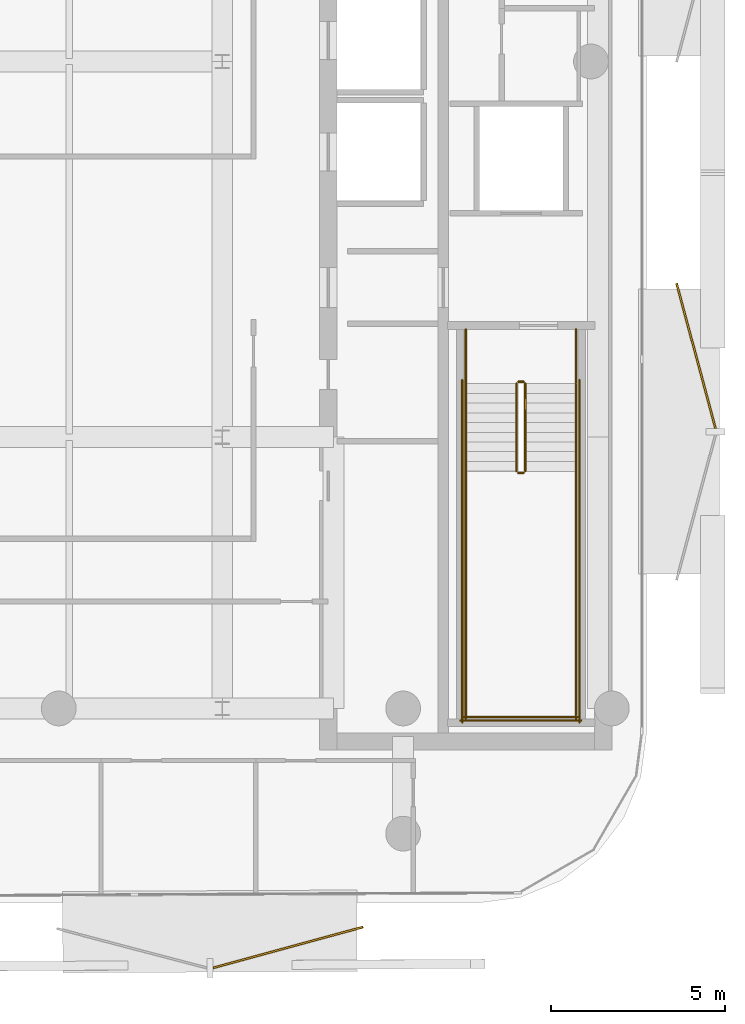
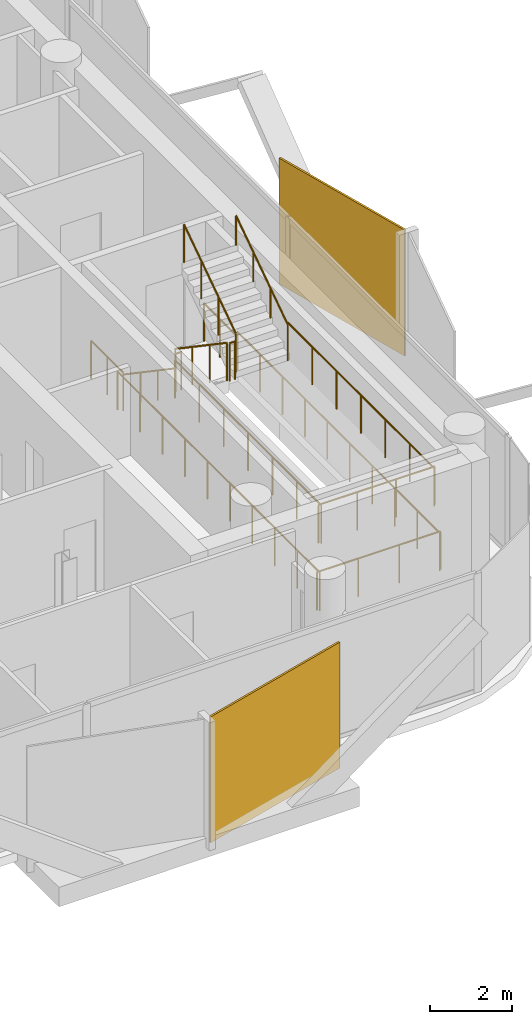
# One storey, part 14 of 15: 14 railings, 2 coverings.
"""IFC4 building model written with IfcOpenShell, lengths in metres."""

from ifc_helpers import new_model, si_unit, direction, frame, origin, origin_2d, place, context, subcontext, project, spatial, rectangle, circle, extrude, material, layer, layer_set, type_object, element, save


model = new_model("IFC4")

# Units and contexts
model_context = context("Model", 3, precision=1e-05, world=origin(), true_north=direction((0.0, 1.0)))
body_context = subcontext(model_context, "Body", "Model", "MODEL_VIEW")
ifc_project = project(units=[si_unit("LENGTHUNIT", "METRE"), si_unit("AREAUNIT", "SQUARE_METRE"), si_unit("VOLUMEUNIT", "CUBIC_METRE"), si_unit("PLANEANGLEUNIT", "RADIAN"), si_unit("MASSUNIT", "GRAM", prefix="KILO")], contexts=[model_context])

# Site, building, storey
site_placement = place(None, origin())
site = spatial("IfcSite", under=ifc_project, at=site_placement, CompositionType="ELEMENT")
building_placement = place(site_placement, origin())
building = spatial("IfcBuilding", under=site, at=building_placement, Name="Khairoan Windgate Tower", CompositionType="ELEMENT")
storey_placement = place(building_placement, frame((0.0, 0.0, 285.199951171875)))
storey = spatial("IfcBuildingStorey", under=building, at=storey_placement, Name="L68", CompositionType="ELEMENT", Elevation=285.199951171875)

# Coverings
ifc_material_1 = material(Name="Anodised Bronze Aluminium 6063-T6", Category="aluminium")
ifc_layer = layer(ifc_material_1, 0.054931640625, Name="Anodised Bronze Aluminium 6063-T6")
ifc_layer_set = layer_set([ifc_layer], Name="Anodised Bronze Aluminium 6063-T6")
covering_type = type_object("IfcCoveringType", Name="Perforated Bronze-Ceramic Folded Solar Screen Cladding BSC-1", PredefinedType="CLADDING", material=ifc_layer_set)
covering_1_placement = place(storey_placement, frame((11.0908203125, -25.471923828125, -0.10009765625), z_axis=(0.0, 0.0, 1.0), x_axis=(-0.964649468762, -0.263536339841, 0.0)))
element("IfcCovering", 1, at=covering_1_placement, inside=storey, type_object=covering_type, Name="L68 Folded Bronze Solar Screen Facet 470L", PredefinedType="CLADDING", context=body_context, shape_type="SweptSolid", body=[
    extrude(rectangle(XDim=4.4619140625, YDim=0.054931640625, at=origin_2d()), origin(), (0.0, 0.0, 1.0), 3.739990234375),
])
covering_2_placement = place(storey_placement, frame((22.821044921875, -8.46630859375, -0.10009765625), z_axis=(0.0, 0.0, 1.0), x_axis=(0.258819045103, -0.965925826289, 0.0)))
element("IfcCovering", 2, at=covering_2_placement, inside=storey, type_object=covering_type, Name="L68 Folded Bronze Solar Screen Facet 477L", PredefinedType="CLADDING", context=body_context, shape_type="SweptSolid", body=[
    extrude(rectangle(XDim=4.320068359375, YDim=0.054931640625, at=origin_2d()), origin(), (0.0, 0.0, 1.0), 3.739990234375),
])

# Railings
ifc_material_2 = material(Name="Anodised Bronze Aluminium 6063-T6", Category="aluminium")
railing_type_1 = type_object("IfcRailingType", Name="Stair Wall Handrail SHR-900", PredefinedType="HANDRAIL", material=ifc_material_2)
railing_1_placement = place(storey_placement, frame((16.199951171875, -9.260009765625, 0.18994140625)))
element("IfcRailing", 3, at=railing_1_placement, inside=storey, type_object=railing_type_1, Name="L68 ST1 stair handrail 1", PredefinedType="HANDRAIL", context=body_context, shape_type="SweptSolid", body=[
    extrude(circle(Radius=0.02392578125, at=origin_2d()), frame((0.0, 0.0, 0.8759765625), z_axis=(0.0, -0.82744650838, 0.561544544778), x_axis=(1.0, 0.0, 0.0)), (0.0, 0.0, 1.0), 3.045654296875),
    extrude(circle(Radius=0.02099609375, at=origin_2d()), origin(), (0.0, 0.0, 1.0), 0.851806640625),
    extrude(circle(Radius=0.02099609375, at=origin_2d()), frame((0.0, -0.840087890625, 0.570068359375)), (0.0, 0.0, 1.0), 0.851806640625),
    extrude(circle(Radius=0.02099609375, at=origin_2d()), frame((0.0, -1.679931640625, 1.14013671875)), (0.0, 0.0, 1.0), 0.851806640625),
    extrude(circle(Radius=0.02099609375, at=origin_2d()), frame((0.0, -2.52001953125, 1.710205078125)), (0.0, 0.0, 1.0), 0.851806640625),
])
railing_2_placement = place(storey_placement, frame((19.3701171875, -11.780029296875, 2.090087890625)))
element("IfcRailing", 4, at=railing_2_placement, inside=storey, type_object=railing_type_1, Name="L68 ST1 stair handrail 2", PredefinedType="HANDRAIL", context=body_context, shape_type="SweptSolid", body=[
    extrude(circle(Radius=0.02392578125, at=origin_2d()), frame((0.0, 0.0, 0.8759765625), z_axis=(0.0, 0.827483756001, 0.561489655786), x_axis=(-1.0, 0.0, 0.0)), (0.0, 0.0, 1.0), 3.04541015625),
    extrude(circle(Radius=0.02099609375, at=origin_2d()), origin(), (0.0, 0.0, 1.0), 0.851806640625),
    extrude(circle(Radius=0.02099609375, at=origin_2d()), frame((0.0, 0.840087890625, 0.570068359375)), (0.0, 0.0, 1.0), 0.851806640625),
    extrude(circle(Radius=0.02099609375, at=origin_2d()), frame((0.0, 1.679931640625, 1.139892578125)), (0.0, 0.0, 1.0), 0.851806640625),
    extrude(circle(Radius=0.02099609375, at=origin_2d()), frame((0.0, 2.52001953125, 1.7099609375)), (0.0, 0.0, 1.0), 0.851806640625),
])
ifc_material_3 = material(Name="Steel S355", Category="steel")
railing_type_2 = type_object("IfcRailingType", Name="Stairwell Safety Guardrail SGR-1150", PredefinedType="GUARDRAIL", material=ifc_material_3)
railing_3_placement = place(storey_placement, frame((17.659912109375, -9.260009765625, 0.18994140625)))
element("IfcRailing", 5, at=railing_3_placement, inside=storey, type_object=railing_type_2, Name="L68 ST1 stair guard 1", PredefinedType="GUARDRAIL", context=body_context, shape_type="SweptSolid", body=[
    extrude(circle(Radius=0.02392578125, at=origin_2d()), frame((0.0, 0.0, 1.1259765625), z_axis=(0.0, -0.82744650838, 0.561544544778), x_axis=(1.0, 0.0, 0.0)), (0.0, 0.0, 1.0), 3.045654296875),
    extrude(circle(Radius=0.02099609375, at=origin_2d()), origin(), (0.0, 0.0, 1.0), 1.101806640625),
    extrude(circle(Radius=0.02099609375, at=origin_2d()), frame((0.0, -0.840087890625, 0.570068359375)), (0.0, 0.0, 1.0), 1.101806640625),
    extrude(circle(Radius=0.02099609375, at=origin_2d()), frame((0.0, -1.679931640625, 1.14013671875)), (0.0, 0.0, 1.0), 1.101806640625),
    extrude(circle(Radius=0.02099609375, at=origin_2d()), frame((0.0, -2.52001953125, 1.710205078125)), (0.0, 0.0, 1.0), 1.101806640625),
])
railing_4_placement = place(storey_placement, frame((17.7099609375, -11.830078125, 1.900146484375)))
element("IfcRailing", 6, at=railing_4_placement, inside=storey, type_object=railing_type_2, Name="L68 ST1 stair guard 2", PredefinedType="GUARDRAIL", context=body_context, shape_type="SweptSolid", body=[
    extrude(circle(Radius=0.02392578125, at=origin_2d()), frame((0.0, 0.0, 1.1259765625), z_axis=(1.0, 0.0, 0.0), x_axis=(0.0, 1.0, 0.0)), (0.0, 0.0, 1.0), 0.150146484375),
    extrude(circle(Radius=0.02099609375, at=origin_2d()), origin(), (0.0, 0.0, 1.0), 1.101806640625),
    extrude(circle(Radius=0.02099609375, at=origin_2d()), frame((0.150146484375, 0.0, 0.0)), (0.0, 0.0, 1.0), 1.101806640625),
])
for number, where, name in (
    (7, (16.199951171875, -11.780029296875, 1.900146484375), "L68 ST1 stair guard 3"),
    (8, (19.3701171875, -11.780029296875, 1.900146484375), "L68 ST1 stair guard 4"),
):
    element("IfcRailing", number, at=place(storey_placement, frame(where)), inside=storey, type_object=railing_type_2, Name=name, PredefinedType="GUARDRAIL", context=body_context, shape_type="SweptSolid", body=[
        extrude(circle(Radius=0.02392578125, at=origin_2d()), frame((0.0, 0.0, 1.1259765625), z_axis=(0.0, -1.0, 0.0), x_axis=(1.0, 0.0, 0.0)), (0.0, 0.0, 1.0), 7.119873046875),
        extrude(circle(Radius=0.02099609375, at=origin_2d()), origin(), (0.0, 0.0, 1.0), 1.101806640625),
        extrude(circle(Radius=0.02099609375, at=origin_2d()), frame((0.0, -1.1865234375, 0.0)), (0.0, 0.0, 1.0), 1.101806640625),
        extrude(circle(Radius=0.02099609375, at=origin_2d()), frame((0.0, -2.373291015625, 0.0)), (0.0, 0.0, 1.0), 1.101806640625),
        extrude(circle(Radius=0.02099609375, at=origin_2d()), frame((0.0, -3.56005859375, 0.0)), (0.0, 0.0, 1.0), 1.101806640625),
        extrude(circle(Radius=0.02099609375, at=origin_2d()), frame((0.0, -4.74658203125, 0.0)), (0.0, 0.0, 1.0), 1.101806640625),
        extrude(circle(Radius=0.02099609375, at=origin_2d()), frame((0.0, -5.93310546875, 0.0)), (0.0, 0.0, 1.0), 1.101806640625),
        extrude(circle(Radius=0.02099609375, at=origin_2d()), frame((0.0, -7.119873046875, 0.0)), (0.0, 0.0, 1.0), 1.101806640625),
    ])
railing_5_placement = place(storey_placement, frame((16.14990234375, -18.85009765625, 1.900146484375)))
element("IfcRailing", 9, at=railing_5_placement, inside=storey, type_object=railing_type_2, Name="L68 ST1 stair guard 5", PredefinedType="GUARDRAIL", context=body_context, shape_type="SweptSolid", body=[
    extrude(circle(Radius=0.02392578125, at=origin_2d()), frame((0.0, 0.0, 1.1259765625), z_axis=(1.0, 0.0, 0.0), x_axis=(0.0, 1.0, 0.0)), (0.0, 0.0, 1.0), 3.27001953125),
    extrude(circle(Radius=0.02099609375, at=origin_2d()), origin(), (0.0, 0.0, 1.0), 1.101806640625),
    extrude(circle(Radius=0.02099609375, at=origin_2d()), frame((1.090087890625, 0.0, 0.0)), (0.0, 0.0, 1.0), 1.101806640625),
    extrude(circle(Radius=0.02099609375, at=origin_2d()), frame((2.179931640625, 0.0, 0.0)), (0.0, 0.0, 1.0), 1.101806640625),
    extrude(circle(Radius=0.02099609375, at=origin_2d()), frame((3.27001953125, 0.0, 0.0)), (0.0, 0.0, 1.0), 1.101806640625),
])
railing_6_placement = place(storey_placement, frame((17.909912109375, -11.780029296875, 2.090087890625)))
element("IfcRailing", 10, at=railing_6_placement, inside=storey, type_object=railing_type_2, Name="L68 ST1 stair guard 6", PredefinedType="GUARDRAIL", context=body_context, shape_type="SweptSolid", body=[
    extrude(circle(Radius=0.02392578125, at=origin_2d()), frame((0.0, 0.0, 1.1259765625), z_axis=(0.0, 0.827483756001, 0.561489655786), x_axis=(-1.0, 0.0, 0.0)), (0.0, 0.0, 1.0), 3.04541015625),
    extrude(circle(Radius=0.02099609375, at=origin_2d()), origin(), (0.0, 0.0, 1.0), 1.101806640625),
    extrude(circle(Radius=0.02099609375, at=origin_2d()), frame((0.0, 0.840087890625, 0.570068359375)), (0.0, 0.0, 1.0), 1.101806640625),
    extrude(circle(Radius=0.02099609375, at=origin_2d()), frame((0.0, 1.679931640625, 1.139892578125)), (0.0, 0.0, 1.0), 1.101806640625),
    extrude(circle(Radius=0.02099609375, at=origin_2d()), frame((0.0, 2.52001953125, 1.7099609375)), (0.0, 0.0, 1.0), 1.101806640625),
])
railing_7_placement = place(storey_placement, frame((17.7099609375, -9.2099609375, 0.0)))
element("IfcRailing", 11, at=railing_7_placement, inside=storey, type_object=railing_type_2, Name="L68 ST1 stair guard 7", PredefinedType="GUARDRAIL", context=body_context, shape_type="SweptSolid", body=[
    extrude(circle(Radius=0.02392578125, at=origin_2d()), frame((0.0, 0.0, 1.1259765625), z_axis=(1.0, 0.0, 0.0), x_axis=(0.0, 1.0, 0.0)), (0.0, 0.0, 1.0), 0.150146484375),
    extrude(circle(Radius=0.02099609375, at=origin_2d()), origin(), (0.0, 0.0, 1.0), 1.101806640625),
    extrude(circle(Radius=0.02099609375, at=origin_2d()), frame((0.150146484375, 0.0, 0.0)), (0.0, 0.0, 1.0), 1.101806640625),
])
for number, where, name in (
    (12, (16.199951171875, -7.699951171875, 0.0), "L68 ST1 stair guard 8"),
    (13, (19.3701171875, -7.699951171875, 0.0), "L68 ST1 stair guard 9"),
):
    element("IfcRailing", number, at=place(storey_placement, frame(where)), inside=storey, type_object=railing_type_2, Name=name, PredefinedType="GUARDRAIL", context=body_context, shape_type="SweptSolid", body=[
        extrude(circle(Radius=0.02392578125, at=origin_2d()), frame((0.0, 0.0, 1.1259765625), z_axis=(0.0, -1.0, 0.0), x_axis=(1.0, 0.0, 0.0)), (0.0, 0.0, 1.0), 1.56005859375),
        extrude(circle(Radius=0.02099609375, at=origin_2d()), origin(), (0.0, 0.0, 1.0), 1.101806640625),
        extrude(circle(Radius=0.02099609375, at=origin_2d()), frame((0.0, -0.780029296875, 0.0)), (0.0, 0.0, 1.0), 1.101806640625),
        extrude(circle(Radius=0.02099609375, at=origin_2d()), frame((0.0, -1.56005859375, 0.0)), (0.0, 0.0, 1.0), 1.101806640625),
    ])
for number, where, name in (
    (14, (16.10009765625, -9.159912109375, 0.0), "L68 ST1 stair guard 10"),
    (15, (19.469970703125, -9.159912109375, 0.0), "L68 ST1 stair guard 11"),
):
    element("IfcRailing", number, at=place(storey_placement, frame(where)), inside=storey, type_object=railing_type_2, Name=name, PredefinedType="GUARDRAIL", context=body_context, shape_type="SweptSolid", body=[
        extrude(circle(Radius=0.02392578125, at=origin_2d()), frame((0.0, 0.0, 1.1259765625), z_axis=(0.0, -1.0, 0.0), x_axis=(1.0, 0.0, 0.0)), (0.0, 0.0, 1.0), 9.840087890625),
        extrude(circle(Radius=0.02099609375, at=origin_2d()), origin(), (0.0, 0.0, 1.0), 1.101806640625),
        extrude(circle(Radius=0.02099609375, at=origin_2d()), frame((0.0, -1.09326171875, 0.0)), (0.0, 0.0, 1.0), 1.101806640625),
        extrude(circle(Radius=0.02099609375, at=origin_2d()), frame((0.0, -2.186767578125, 0.0)), (0.0, 0.0, 1.0), 1.101806640625),
        extrude(circle(Radius=0.02099609375, at=origin_2d()), frame((0.0, -3.280029296875, 0.0)), (0.0, 0.0, 1.0), 1.101806640625),
        extrude(circle(Radius=0.02099609375, at=origin_2d()), frame((0.0, -4.373291015625, 0.0)), (0.0, 0.0, 1.0), 1.101806640625),
        extrude(circle(Radius=0.02099609375, at=origin_2d()), frame((0.0, -5.466796875, 0.0)), (0.0, 0.0, 1.0), 1.101806640625),
        extrude(circle(Radius=0.02099609375, at=origin_2d()), frame((0.0, -6.56005859375, 0.0)), (0.0, 0.0, 1.0), 1.101806640625),
        extrude(circle(Radius=0.02099609375, at=origin_2d()), frame((0.0, -7.6533203125, 0.0)), (0.0, 0.0, 1.0), 1.101806640625),
        extrude(circle(Radius=0.02099609375, at=origin_2d()), frame((0.0, -8.746826171875, 0.0)), (0.0, 0.0, 1.0), 1.101806640625),
        extrude(circle(Radius=0.02099609375, at=origin_2d()), frame((0.0, -9.840087890625, 0.0)), (0.0, 0.0, 1.0), 1.101806640625),
    ])
railing_8_placement = place(storey_placement, frame((16.050048828125, -18.949951171875, 0.0)))
element("IfcRailing", 16, at=railing_8_placement, inside=storey, type_object=railing_type_2, Name="L68 ST1 stair guard 12", PredefinedType="GUARDRAIL", context=body_context, shape_type="SweptSolid", body=[
    extrude(circle(Radius=0.02392578125, at=origin_2d()), frame((0.0, 0.0, 1.1259765625), z_axis=(1.0, 0.0, 0.0), x_axis=(0.0, 1.0, 0.0)), (0.0, 0.0, 1.0), 3.469970703125),
    extrude(circle(Radius=0.02099609375, at=origin_2d()), origin(), (0.0, 0.0, 1.0), 1.101806640625),
    extrude(circle(Radius=0.02099609375, at=origin_2d()), frame((1.15673828125, 0.0, 0.0)), (0.0, 0.0, 1.0), 1.101806640625),
    extrude(circle(Radius=0.02099609375, at=origin_2d()), frame((2.313232421875, 0.0, 0.0)), (0.0, 0.0, 1.0), 1.101806640625),
    extrude(circle(Radius=0.02099609375, at=origin_2d()), frame((3.469970703125, 0.0, 0.0)), (0.0, 0.0, 1.0), 1.101806640625),
])

save(model, "model.ifc")
